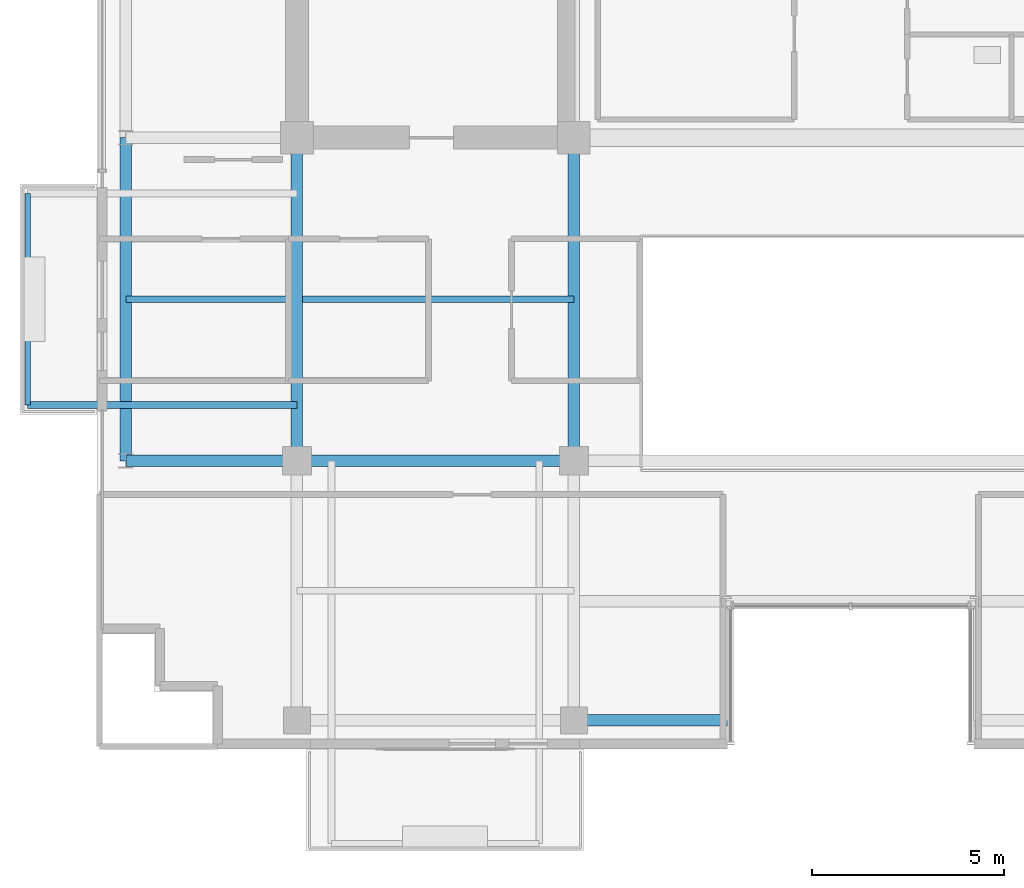
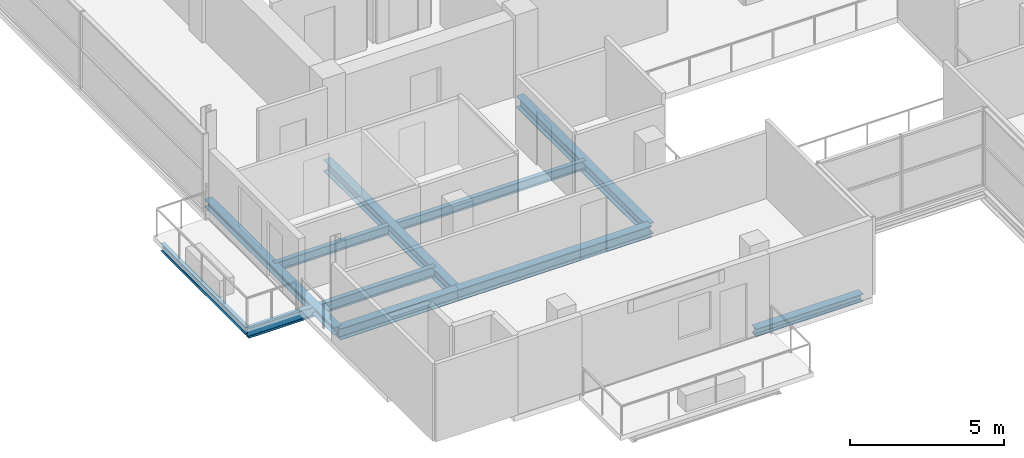
# One storey, part 2 of 21: 10 beams.
"""IFC4 building model written with IfcOpenShell, lengths in metres."""

from ifc_helpers import new_model, si_unit, direction, frame, origin, origin_2d, place, context, subcontext, project, spatial, i_section, extrude, material, material_profile, profile_set, type_object, element, save


model = new_model("IFC4")

# Units and contexts
model_context = context("Model", 3, precision=1e-05, world=origin(), true_north=direction((0.0, 1.0)))
body_context = subcontext(model_context, "Body", "Model", "MODEL_VIEW")
ifc_project = project(units=[si_unit("LENGTHUNIT", "METRE"), si_unit("AREAUNIT", "SQUARE_METRE"), si_unit("VOLUMEUNIT", "CUBIC_METRE"), si_unit("PLANEANGLEUNIT", "RADIAN"), si_unit("MASSUNIT", "GRAM", prefix="KILO")], contexts=[model_context])

# Site, building, storey
site_placement = place(None, origin())
site = spatial("IfcSite", under=ifc_project, at=site_placement, CompositionType="ELEMENT")
building_placement = place(site_placement, origin())
building = spatial("IfcBuilding", under=site, at=building_placement, Name="Zarnakvel Exchange Tower", CompositionType="ELEMENT")
storey_placement = place(building_placement, frame((0.0, 0.0, 255.10009765625)))
storey = spatial("IfcBuildingStorey", under=building, at=storey_placement, Name="L72", CompositionType="ELEMENT", Elevation=255.10009765625)

# Beams
ifc_material = material(Name="Steel S355", Category="steel")
ifc_material_profile_1 = material_profile(ifc_material, i_section(OverallWidth=0.179931640625, OverallDepth=0.39990234375, WebThickness=0.008544921875, FlangeThickness=0.013427734375, FilletRadius=0.02099609375, at=origin_2d()))
ifc_profile_set_1 = profile_set([ifc_material_profile_1], Name="Steel S355")
beam_type_1 = type_object("IfcBeamType", Name="B-06", PredefinedType="JOIST", material=ifc_profile_set_1)
beam_1_placement = place(storey_placement, frame((-14.39990234375, -8.14990234375, -0.425048828125), z_axis=(-1.0, 0.0, 0.0), x_axis=(0.0, -1.0, 0.0)))
element("IfcBeam", 1, at=beam_1_placement, inside=storey, type_object=beam_type_1, Name="L72 Continuous West Loggia Beam S", PredefinedType="JOIST", context=body_context, shape_type="SweptSolid", body=[
    extrude(i_section(OverallWidth=0.179931640625, OverallDepth=0.39990234375, WebThickness=0.008544921875, FlangeThickness=0.013427734375, FilletRadius=0.02099609375, at=origin_2d()), origin(), (0.0, 0.0, 1.0), 7.0),
])
ifc_material_profile_2 = material_profile(ifc_material, i_section(OverallWidth=0.169921875, OverallDepth=0.360107421875, WebThickness=0.008056640625, FlangeThickness=0.0126953125, FilletRadius=0.01806640625, at=origin_2d()))
ifc_profile_set_2 = profile_set([ifc_material_profile_2], Name="Steel S355")
beam_type_2 = type_object("IfcBeamType", Name="B-07", PredefinedType="JOIST", material=ifc_profile_set_2)
beam_2_placement = place(storey_placement, frame((-18.85009765625, -5.39990234375, -0.405029296875), z_axis=(1.0, 0.0, 0.0), x_axis=(0.0, 1.0, 0.0)))
element("IfcBeam", 2, at=beam_2_placement, inside=storey, type_object=beam_type_2, Name="L72 Composite Floor Secondary Joist", PredefinedType="JOIST", context=body_context, shape_type="SweptSolid", body=[
    extrude(i_section(OverallWidth=0.169921875, OverallDepth=0.360107421875, WebThickness=0.008056640625, FlangeThickness=0.0126953125, FilletRadius=0.01806640625, at=origin_2d()), origin(), (0.0, 0.0, 1.0), 4.300048828125),
])
beam_3_placement = place(storey_placement, frame((-14.25, -5.39990234375, -0.405029296875), z_axis=(1.0, 0.0, 0.0), x_axis=(0.0, 1.0, 0.0)))
element("IfcBeam", 3, at=beam_3_placement, inside=storey, type_object=beam_type_2, Name="L72 Composite Floor Secondary Joist", PredefinedType="JOIST", context=body_context, shape_type="SweptSolid", body=[
    extrude(i_section(OverallWidth=0.169921875, OverallDepth=0.360107421875, WebThickness=0.008056640625, FlangeThickness=0.0126953125, FilletRadius=0.01806640625, at=origin_2d()), origin(), (0.0, 0.0, 1.0), 7.050048828125),
])
ifc_material_profile_3 = material_profile(ifc_material, i_section(OverallWidth=0.14990234375, OverallDepth=0.300048828125, WebThickness=0.007080078125, FlangeThickness=0.0107421875, FilletRadius=0.014892578125, at=origin_2d()))
ifc_profile_set_3 = profile_set([ifc_material_profile_3], Name="Steel S355")
beam_type_3 = type_object("IfcBeamType", Name="B-08", PredefinedType="JOIST", material=ifc_profile_set_3)
beam_4_placement = place(storey_placement, frame((-21.39990234375, -8.14990234375, -0.375), z_axis=(0.0, 1.0, 0.0), x_axis=(-1.0, 0.0, 0.0)))
element("IfcBeam", 4, at=beam_4_placement, inside=storey, type_object=beam_type_3, Name="L72 West Loggia Edge Beam", PredefinedType="JOIST", context=body_context, shape_type="SweptSolid", body=[
    extrude(i_section(OverallWidth=0.14990234375, OverallDepth=0.300048828125, WebThickness=0.007080078125, FlangeThickness=0.0107421875, FilletRadius=0.014892578125, at=origin_2d()), origin(), (0.0, 0.0, 1.0), 5.5),
])
ifc_material_profile_4 = material_profile(ifc_material, i_section(OverallWidth=0.300048828125, OverallDepth=0.449951171875, WebThickness=0.013916015625, FlangeThickness=0.02587890625, FilletRadius=0.027099609375, at=origin_2d()))
ifc_profile_set_4 = profile_set([ifc_material_profile_4], Name="Steel S355")
beam_type_4 = type_object("IfcBeamType", Name="G-07", PredefinedType="BEAM", material=ifc_profile_set_4)
beam_5_placement = place(storey_placement, frame((-18.85009765625, -9.60009765625, -0.4501953125), z_axis=(1.0, 0.0, 0.0), x_axis=(0.0, 1.0, 0.0)))
element("IfcBeam", 5, at=beam_5_placement, inside=storey, type_object=beam_type_4, Name="L72 Tower E-W Frame Beam", PredefinedType="BEAM", context=body_context, shape_type="SweptSolid", body=[
    extrude(i_section(OverallWidth=0.300048828125, OverallDepth=0.449951171875, WebThickness=0.013916015625, FlangeThickness=0.02587890625, FilletRadius=0.027099609375, at=origin_2d()), origin(), (0.0, 0.0, 1.0), 4.4501953125),
])
beam_6_placement = place(storey_placement, frame((-14.39990234375, -9.60009765625, -0.4501953125), z_axis=(1.0, 0.0, 0.0), x_axis=(0.0, 1.0, 0.0)))
element("IfcBeam", 6, at=beam_6_placement, inside=storey, type_object=beam_type_4, Name="L72 Tower E-W Frame Beam", PredefinedType="BEAM", context=body_context, shape_type="SweptSolid", body=[
    extrude(i_section(OverallWidth=0.300048828125, OverallDepth=0.449951171875, WebThickness=0.013916015625, FlangeThickness=0.02587890625, FilletRadius=0.027099609375, at=origin_2d()), origin(), (0.0, 0.0, 1.0), 7.199951171875),
])
for number, where, z_axis, x_axis, name in (
    (7, (-14.39990234375, -9.60009765625, -0.4501953125), (0.0, 1.0, 0.0), (-1.0, 0.0, 0.0), "L72 Tower N-S Frame Beam"),
    (8, (-7.199951171875, -9.60009765625, -0.4501953125), (0.0, 1.0, 0.0), (-1.0, 0.0, 0.0), "L72 Tower N-S Frame Beam"),
):
    element("IfcBeam", number, at=place(storey_placement, frame(where, z_axis=z_axis, x_axis=x_axis)), inside=storey, type_object=beam_type_4, Name=name, PredefinedType="BEAM", context=body_context, shape_type="SweptSolid", body=[
        extrude(i_section(OverallWidth=0.300048828125, OverallDepth=0.449951171875, WebThickness=0.013916015625, FlangeThickness=0.02587890625, FilletRadius=0.027099609375, at=origin_2d()), origin(), (0.0, 0.0, 1.0), 8.400146484375),
    ])
ifc_material_profile_5 = material_profile(ifc_material, i_section(OverallWidth=0.300048828125, OverallDepth=0.300048828125, WebThickness=0.010986328125, FlangeThickness=0.01904296875, FilletRadius=0.027099609375, at=origin_2d()))
ifc_profile_set_5 = profile_set([ifc_material_profile_5], Name="Steel S355")
beam_type_5 = type_object("IfcBeamType", Name="SP-03", PredefinedType="SPANDREL", material=ifc_profile_set_5)
beam_7_placement = place(storey_placement, frame((-7.199951171875, -16.35009765625, -0.375), z_axis=(1.0, 0.0, 0.0), x_axis=(0.0, 1.0, 0.0)))
element("IfcBeam", 9, at=beam_7_placement, inside=storey, type_object=beam_type_5, Name="L72 South Slot West Jamb Spandrel", PredefinedType="SPANDREL", context=body_context, shape_type="SweptSolid", body=[
    extrude(i_section(OverallWidth=0.300048828125, OverallDepth=0.300048828125, WebThickness=0.010986328125, FlangeThickness=0.01904296875, FilletRadius=0.027099609375, at=origin_2d()), origin(), (0.0, 0.0, 1.0), 4.0),
])
beam_8_placement = place(storey_placement, frame((-18.85009765625, -9.60009765625, -0.375), z_axis=(0.0, 1.0, 0.0), x_axis=(-1.0, 0.0, 0.0)))
element("IfcBeam", 10, at=beam_8_placement, inside=storey, type_object=beam_type_5, Name="L72 Tower N-S Frame Beam", PredefinedType="SPANDREL", context=body_context, shape_type="SweptSolid", body=[
    extrude(i_section(OverallWidth=0.300048828125, OverallDepth=0.300048828125, WebThickness=0.010986328125, FlangeThickness=0.01904296875, FilletRadius=0.027099609375, at=origin_2d()), origin(), (0.0, 0.0, 1.0), 8.400146484375),
])

save(model, "model.ifc")
